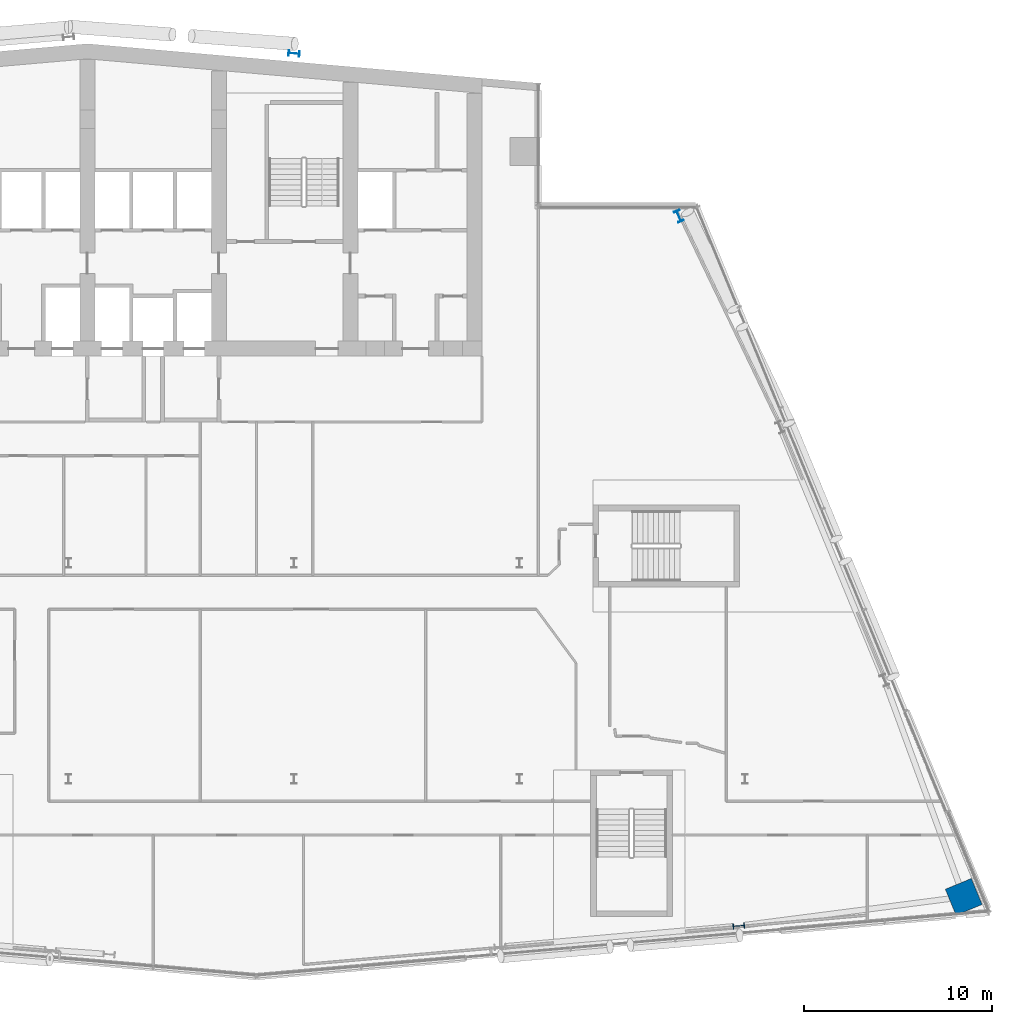
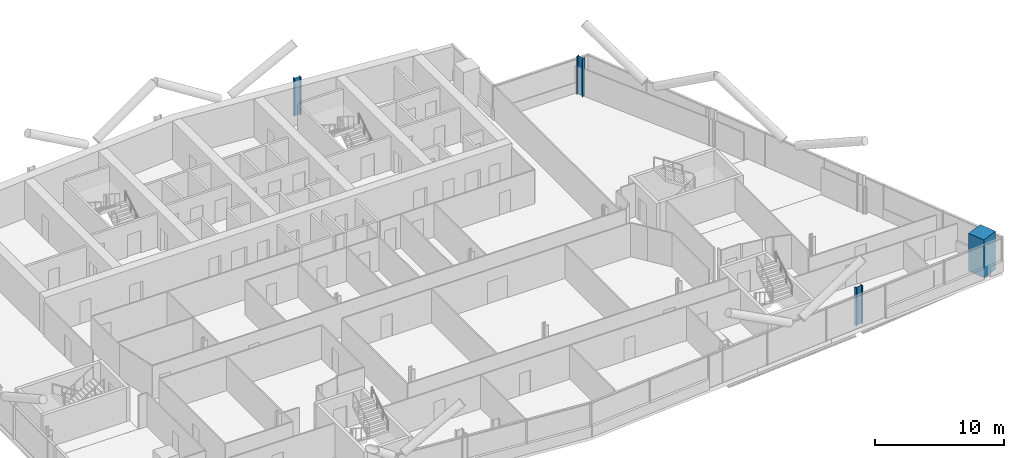
# One storey, part 4 of 27: 4 columns.
"""IFC4 building model written with IfcOpenShell, lengths in metres."""

from ifc_helpers import new_model, si_unit, direction, frame, origin, origin_2d, place, context, subcontext, project, spatial, rectangle, i_section, extrude, material, material_profile, profile_set, type_object, element, save


model = new_model("IFC4")

# Units and contexts
model_context = context("Model", 3, precision=1e-05, world=origin(), true_north=direction((0.0, 1.0)))
body_context = subcontext(model_context, "Body", "Model", "MODEL_VIEW")
ifc_project = project(units=[si_unit("LENGTHUNIT", "METRE"), si_unit("AREAUNIT", "SQUARE_METRE"), si_unit("VOLUMEUNIT", "CUBIC_METRE"), si_unit("PLANEANGLEUNIT", "RADIAN"), si_unit("MASSUNIT", "GRAM", prefix="KILO")], contexts=[model_context])

# Site, building, storey
site_placement = place(None, origin())
site = spatial("IfcSite", under=ifc_project, at=site_placement, CompositionType="ELEMENT")
building_placement = place(site_placement, origin())
building = spatial("IfcBuilding", under=site, at=building_placement, Name="Wharfspan Tower", CompositionType="ELEMENT")
storey_placement = place(building_placement, frame((0.0, 0.0, 195.100098)))
storey = spatial("IfcBuildingStorey", under=building, at=storey_placement, Name="L48", CompositionType="ELEMENT", Elevation=195.100098)

# Columns
ifc_material_1 = material(Name="Steel S355J2", Category="steel")
ifc_material_profile_1 = material_profile(ifc_material_1, i_section(OverallWidth=0.300049, OverallDepth=0.600098, WebThickness=0.015381, FlangeThickness=0.030029, FilletRadius=0.0271, at=origin_2d()))
ifc_profile_set_1 = profile_set([ifc_material_profile_1], Name="Steel S355J2")
column_type_1 = type_object("IfcColumnType", Name="Column HEB 600", PredefinedType="COLUMN", material=ifc_profile_set_1)
column_1_placement = place(storey_placement, frame((48.0, 50.112305, 0.0), z_axis=(0.0, 0.0, 1.0), x_axis=(0.087156, 0.996198, 0.0)))
element("IfcColumn", 1, at=column_1_placement, inside=storey, type_object=column_type_1, Name="Rear column R.3 L48", PredefinedType="COLUMN", context=body_context, shape_type="SweptSolid", body=[
    extrude(i_section(OverallWidth=0.300049, OverallDepth=0.600098, WebThickness=0.015381, FlangeThickness=0.030029, FilletRadius=0.0271, at=origin_2d()), origin(), (0.0, 0.0, 1.0), 3.599854),
])
ifc_material_profile_2 = material_profile(ifc_material_1, i_section(OverallWidth=0.304932, OverallDepth=0.620117, WebThickness=0.020996, FlangeThickness=0.040039, FilletRadius=0.0271, at=origin_2d()))
ifc_profile_set_2 = profile_set([ifc_material_profile_2], Name="Steel S355J2")
column_type_2 = type_object("IfcColumnType", Name="Column HEM 600", PredefinedType="COLUMN", material=ifc_profile_set_2)
for number, where, z_axis, x_axis, name in (
    (2, (71.661865, 3.684814, 0.0), (0.0, 0.0, 1.0), (0.087156, -0.996198, 0.0), "Perimeter column PS2.2 L48"),
    (3, (68.471924, 41.450439, 0.0), (0.0, 0.0, 1.0), (0.924325, 0.381602, 0.0), "Perimeter column PE.3 L48"),
):
    element("IfcColumn", number, at=place(storey_placement, frame(where, z_axis=z_axis, x_axis=x_axis)), inside=storey, type_object=column_type_2, Name=name, PredefinedType="COLUMN", context=body_context, shape_type="SweptSolid", body=[
        extrude(i_section(OverallWidth=0.304932, OverallDepth=0.620117, WebThickness=0.020996, FlangeThickness=0.040039, FilletRadius=0.0271, at=origin_2d()), origin(), (0.0, 0.0, 1.0), 3.599854),
    ])
ifc_material_2 = material(Name="Concrete C60/75", Category="concrete")
ifc_material_profile_3 = material_profile(ifc_material_2, rectangle(XDim=1.5, YDim=1.5, at=origin_2d()))
ifc_profile_set_3 = profile_set([ifc_material_profile_3], Name="Concrete C60/75")
column_type_3 = type_object("IfcColumnType", Name="Mega column 1500 C60/75", PredefinedType="COLUMN", material=ifc_profile_set_3)
column_2_placement = place(storey_placement, frame((83.632568, 5.230713, 0.0), z_axis=(0.0, 0.0, 1.0), x_axis=(-0.381602, 0.924325, 0.0)))
element("IfcColumn", 4, at=column_2_placement, inside=storey, type_object=column_type_3, Name="Mega column MC4 L48", PredefinedType="COLUMN", context=body_context, shape_type="SweptSolid", body=[
    extrude(rectangle(XDim=1.5, YDim=1.5, at=origin_2d()), origin(), (0.0, 0.0, 1.0), 3.599854),
])

save(model, "model.ifc")
